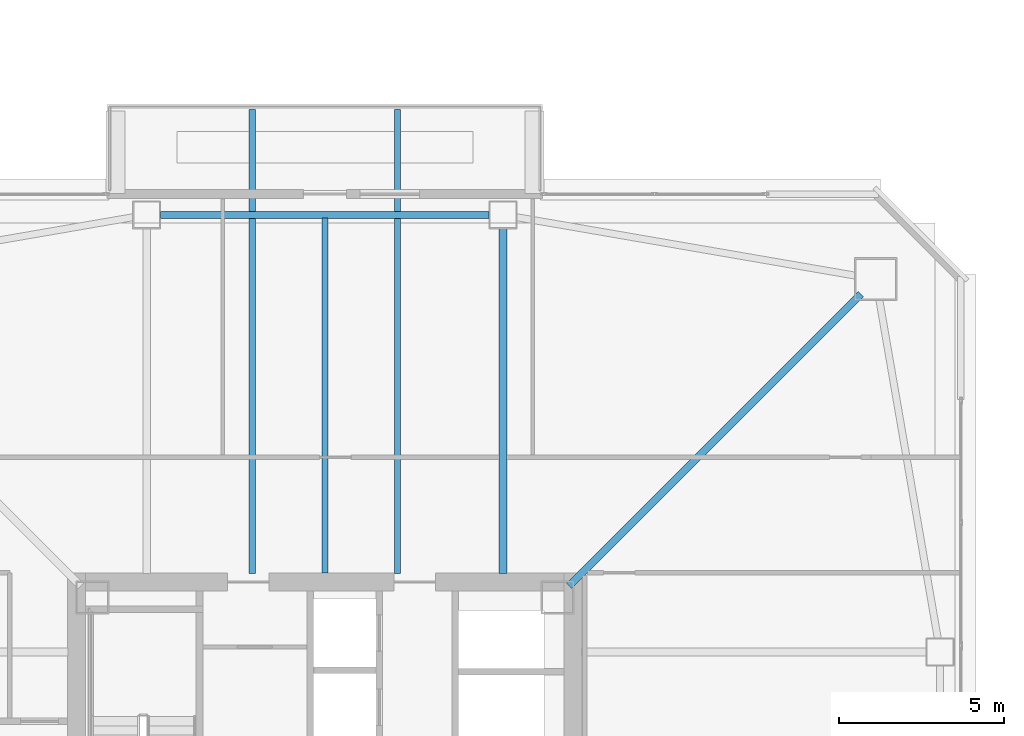
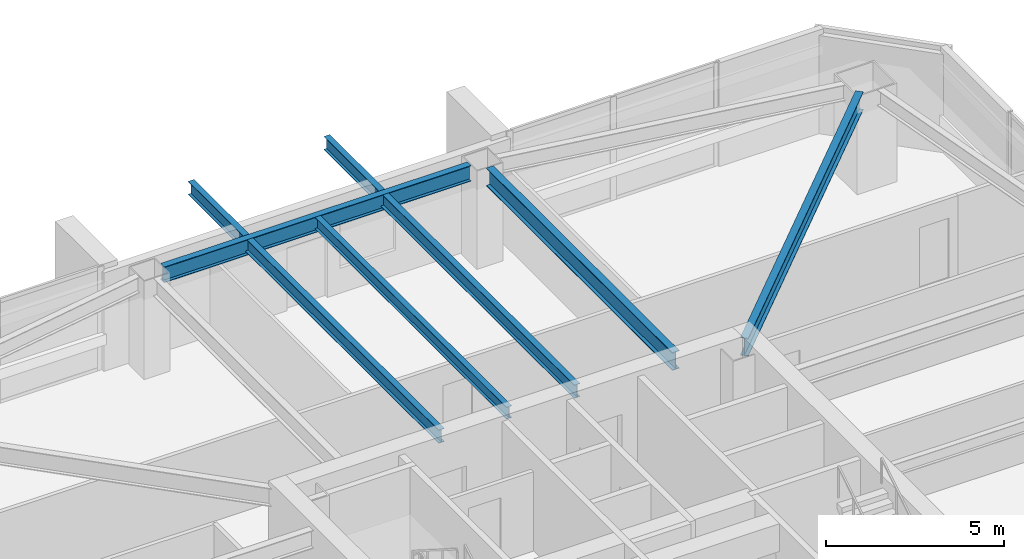
# One storey, part 14 of 44: 6 beams.
"""IFC4 building model written with IfcOpenShell, lengths in metres."""

from ifc_helpers import new_model, si_unit, direction, frame, origin, origin_2d, place, context, subcontext, project, spatial, i_section, extrude, material, material_profile, profile_set, type_object, element, save


model = new_model("IFC4")

# Units and contexts
model_context = context("Model", 3, precision=1e-05, world=origin(), true_north=direction((0.0, 1.0)))
body_context = subcontext(model_context, "Body", "Model", "MODEL_VIEW")
ifc_project = project(units=[si_unit("LENGTHUNIT", "METRE"), si_unit("AREAUNIT", "SQUARE_METRE"), si_unit("VOLUMEUNIT", "CUBIC_METRE"), si_unit("PLANEANGLEUNIT", "RADIAN"), si_unit("MASSUNIT", "GRAM", prefix="KILO")], contexts=[model_context])

# Site, building, storey
site_placement = place(None, origin())
site = spatial("IfcSite", under=ifc_project, at=site_placement, CompositionType="ELEMENT")
building_placement = place(site_placement, origin())
building = spatial("IfcBuilding", under=site, at=building_placement, Name="Tashvorn Skyway Center", CompositionType="ELEMENT")
storey_placement = place(building_placement, frame((0.0, 0.0, 149.89990234375)))
storey = spatial("IfcBuildingStorey", under=building, at=storey_placement, Name="L40", CompositionType="ELEMENT", Elevation=149.89990234375)

# Beams
ifc_material = material(Name="Steel ASTM A992 Grade 50", Category="steel")
ifc_material_profile_1 = material_profile(ifc_material, i_section(OverallWidth=0.22998046875, OverallDepth=0.616943359375, WebThickness=0.01318359375, FlangeThickness=0.022216796875, at=origin_2d()), Name="W24X94")
ifc_profile_set_1 = profile_set([ifc_material_profile_1], Name="Steel ASTM A992 Grade 50")
beam_type_1 = type_object("IfcBeamType", Name="BM-BEAM-W24X94", PredefinedType="BEAM", material=ifc_profile_set_1)
beam_1_placement = place(storey_placement, frame((58.243896484375, 48.243896484375, 3.0615234375), z_axis=(-0.707106781187, -0.707106781187, 0.0), x_axis=(0.707106781187, -0.707106781187, 0.0)))
element("IfcBeam", 1, at=beam_1_placement, inside=storey, type_object=beam_type_1, Name="Tower 1 L40 Primary Floor Girder MC-NE", PredefinedType="BEAM", context=body_context, shape_type="SweptSolid", body=[
    extrude(i_section(OverallWidth=0.22998046875, OverallDepth=0.616943359375, WebThickness=0.01318359375, FlangeThickness=0.022216796875, at=origin_2d()), origin(), (0.0, 0.0, 1.0), 12.50732421875),
])
beam_2_placement = place(storey_placement, frame((47.39990234375, 50.22998046875, 3.0615234375), z_axis=(0.0, -1.0, 0.0), x_axis=(1.0, 0.0, 0.0)))
element("IfcBeam", 2, at=beam_2_placement, inside=storey, type_object=beam_type_1, Name="Tower 1 L40 Primary Floor Girder FC-N1", PredefinedType="BEAM", context=body_context, shape_type="SweptSolid", body=[
    extrude(i_section(OverallWidth=0.22998046875, OverallDepth=0.616943359375, WebThickness=0.01318359375, FlangeThickness=0.022216796875, at=origin_2d()), origin(), (0.0, 0.0, 1.0), 10.449951171875),
])
ifc_material_profile_2 = material_profile(ifc_material, i_section(OverallWidth=0.177978515625, OverallDepth=0.406005859375, WebThickness=0.0078125, FlangeThickness=0.0126953125, at=origin_2d()), Name="W16X40")
ifc_profile_set_2 = profile_set([ifc_material_profile_2], Name="Steel ASTM A992 Grade 50")
beam_type_2 = type_object("IfcBeamType", Name="BM-JOIST-W16X40", PredefinedType="JOIST", material=ifc_profile_set_2)
beam_3_placement = place(storey_placement, frame((42.0, 39.7900390625, 3.1669921875), z_axis=(0.0, 1.0, 0.0), x_axis=(-1.0, 0.0, 0.0)))
element("IfcBeam", 3, at=beam_3_placement, inside=storey, type_object=beam_type_2, Name="Tower 1 L40 Secondary Composite Joist JN", PredefinedType="JOIST", context=body_context, shape_type="SweptSolid", body=[
    extrude(i_section(OverallWidth=0.177978515625, OverallDepth=0.406005859375, WebThickness=0.0078125, FlangeThickness=0.0126953125, at=origin_2d()), origin(), (0.0, 0.0, 1.0), 10.762451171875),
])
ifc_material_profile_3 = material_profile(ifc_material, i_section(OverallWidth=0.19091796875, OverallDepth=0.4599609375, WebThickness=0.010009765625, FlangeThickness=0.01611328125, at=origin_2d()), Name="W18X55")
ifc_profile_set_3 = profile_set([ifc_material_profile_3], Name="Steel ASTM A992 Grade 50")
beam_type_3 = type_object("IfcBeamType", Name="BM-JOIST-W18X55", PredefinedType="JOIST", material=ifc_profile_set_3)
for number, where, z_axis, x_axis, name in (
    (4, (39.800048828125, 39.780029296875, 3.14013671875), (0.0, 1.0, 0.0), (-1.0, 0.0, 0.0), "Tower 1 L41 Terrace Cantilever Outlooker 1"),
    (5, (44.199951171875, 39.780029296875, 3.14013671875), (0.0, 1.0, 0.0), (-1.0, 0.0, 0.0), "Tower 1 L41 Terrace Cantilever Outlooker 2"),
):
    element("IfcBeam", number, at=place(storey_placement, frame(where, z_axis=z_axis, x_axis=x_axis)), inside=storey, type_object=beam_type_3, Name=name, PredefinedType="JOIST", context=body_context, shape_type="SweptSolid", body=[
        extrude(i_section(OverallWidth=0.19091796875, OverallDepth=0.4599609375, WebThickness=0.010009765625, FlangeThickness=0.01611328125, at=origin_2d()), origin(), (0.0, 0.0, 1.0), 14.070068359375),
    ])
ifc_material_profile_4 = material_profile(ifc_material, i_section(OverallWidth=0.2109375, OverallDepth=0.5390625, WebThickness=0.01171875, FlangeThickness=0.018798828125, at=origin_2d()), Name="W21X73")
ifc_profile_set_4 = profile_set([ifc_material_profile_4], Name="Steel ASTM A992 Grade 50")
beam_type_4 = type_object("IfcBeamType", Name="BM-SPANDREL-W21X73", PredefinedType="SPANDREL", material=ifc_profile_set_4)
beam_4_placement = place(storey_placement, frame((46.97998046875, 50.64990234375, 3.1005859375), z_axis=(-1.0, 0.0, 0.0), x_axis=(0.0, -1.0, 0.0)))
element("IfcBeam", 6, at=beam_4_placement, inside=storey, type_object=beam_type_4, Name="Tower 1 L40 Spandrel Beam 08", PredefinedType="SPANDREL", context=body_context, shape_type="SweptSolid", body=[
    extrude(i_section(OverallWidth=0.2109375, OverallDepth=0.5390625, WebThickness=0.01171875, FlangeThickness=0.018798828125, at=origin_2d()), origin(), (0.0, 0.0, 1.0), 9.9599609375),
])

save(model, "model.ifc")
